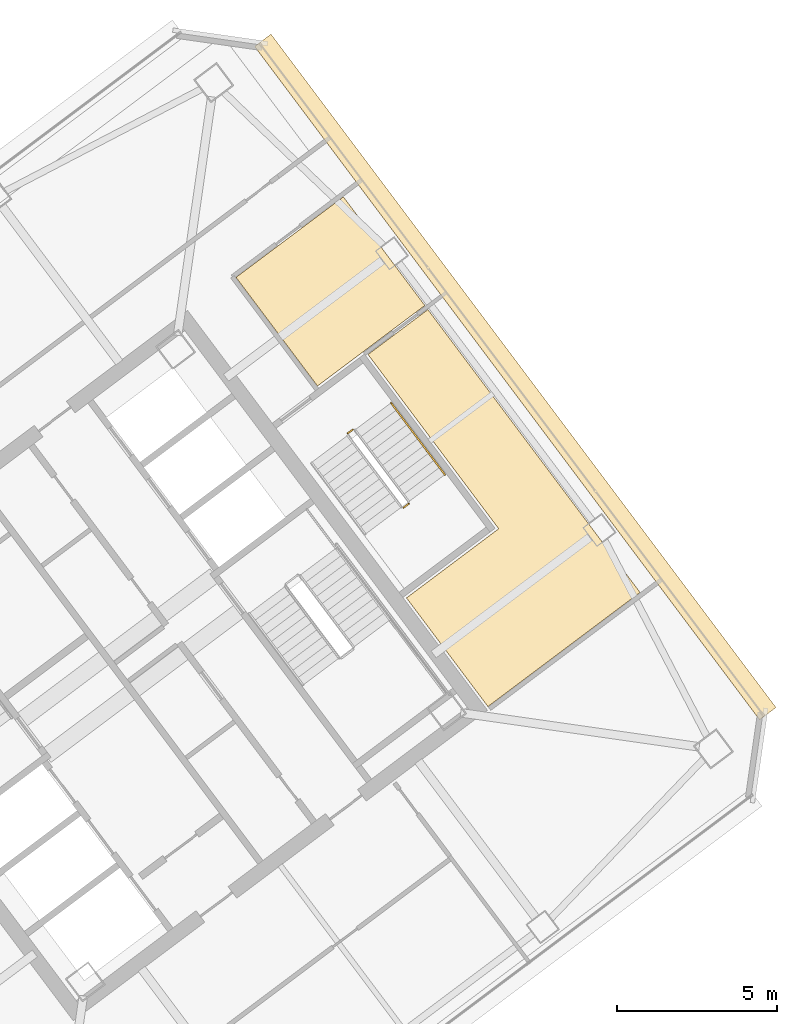
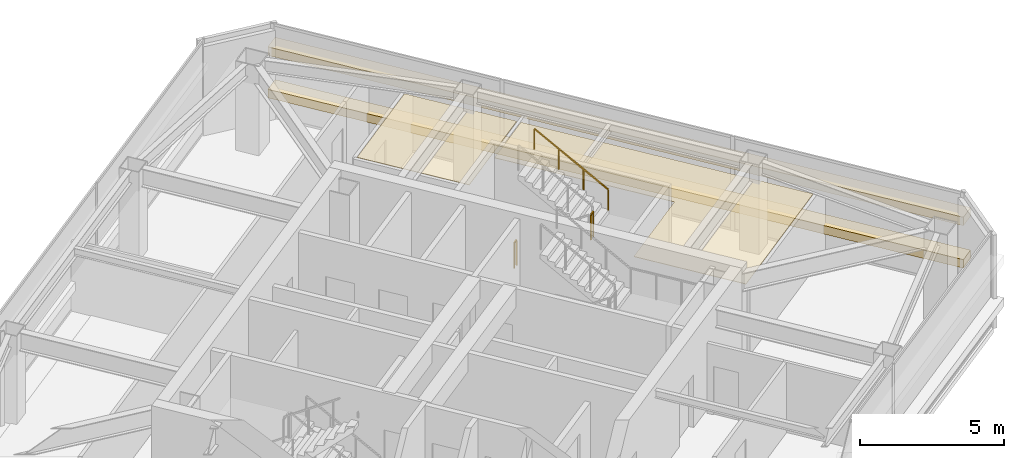
# One storey, part 49 of 51: 4 coverings, 3 railings.
"""IFC4 building model written with IfcOpenShell, lengths in metres."""

from ifc_helpers import new_model, si_unit, direction, frame, origin, origin_2d, place, context, subcontext, project, spatial, polyline, rectangle, outline, extrude, material, layer, layer_set, type_object, element, save


model = new_model("IFC4")

# Units and contexts
model_context = context("Model", 3, precision=1e-05, world=origin(), true_north=direction((0.0, 1.0)))
body_context = subcontext(model_context, "Body", "Model", "MODEL_VIEW")
ifc_project = project(units=[si_unit("LENGTHUNIT", "METRE"), si_unit("AREAUNIT", "SQUARE_METRE"), si_unit("VOLUMEUNIT", "CUBIC_METRE"), si_unit("PLANEANGLEUNIT", "RADIAN"), si_unit("MASSUNIT", "GRAM", prefix="KILO")], contexts=[model_context])

# Site, building, storey
site_placement = place(None, origin())
site = spatial("IfcSite", under=ifc_project, at=site_placement, CompositionType="ELEMENT")
building_placement = place(site_placement, origin())
building = spatial("IfcBuilding", under=site, at=building_placement, Name="Tashvorn Skyway Center", CompositionType="ELEMENT")
storey_placement = place(building_placement, frame((0.0, 0.0, 251.39990234375)))
storey = spatial("IfcBuildingStorey", under=building, at=storey_placement, Name="L68", CompositionType="ELEMENT", Elevation=251.39990234375)

# Coverings
ifc_material_1 = material(Name="Mineral-fibre acoustic ceiling tile on suspended grid")
ifc_layer_1 = layer(ifc_material_1, 0.02001953125)
ifc_layer_set_1 = layer_set([ifc_layer_1], Name="Mineral-fibre acoustic ceiling tile on suspended grid")
covering_type_1 = type_object("IfcCoveringType", Name="COV-CEIL-20", PredefinedType="CEILING", material=ifc_layer_set_1)
covering_1_placement = place(storey_placement, frame((0.0, 0.0, 2.951171875)))
element("IfcCovering", 1, at=covering_1_placement, inside=storey, type_object=covering_type_1, Name="Tower 2 L68 Executive Suite Acoustic Ceiling", PredefinedType="CEILING", context=body_context, shape_type="SweptSolid", body=[
    extrude(outline(polyline([(119.840087890625, 40.72998046875), (117.2958984375, 44.1220703125), (120.64794921875, 46.635986328125), (123.19189453125, 43.243896484375), (119.840087890625, 40.72998046875)])), origin(), (0.0, 0.0, 1.0), 0.02001953125),
])
covering_2_placement = place(storey_placement, frame((0.0, 0.0, 2.951171875)))
element("IfcCovering", 2, at=covering_2_placement, inside=storey, type_object=covering_type_1, Name="Tower 2 L68 Security Control Room Acoustic Ceiling", PredefinedType="CEILING", context=body_context, shape_type="SweptSolid", body=[
    extrude(outline(polyline([(125.159912109375, 30.719970703125), (122.615966796875, 34.112060546875), (125.49609375, 36.27197265625), (121.416015625, 41.7119140625), (123.2880859375, 43.115966796875), (127.367919921875, 37.676025390625), (129.912109375, 34.283935546875), (125.159912109375, 30.719970703125)])), origin(), (0.0, 0.0, 1.0), 0.02001953125),
])
ifc_material_2 = material(Name="Perforated ceramic-coated bronze aluminium solar screen", Category="aluminium")
ifc_layer_2 = layer(ifc_material_2, 0.85009765625)
ifc_layer_set_2 = layer_set([ifc_layer_2], Name="Perforated ceramic-coated bronze aluminium solar screen")
covering_type_2 = type_object("IfcCoveringType", Name="COV-SOLAR-BAND", PredefinedType="CLADDING", material=ifc_layer_set_2)
for number, where, z_axis, x_axis, name in (
    (3, (126.01611328125, 41.011962890625, 0.919921875), (0.0, 0.0, 1.0), (0.600000004945, -0.799999996291, 0.0), "L68 Perforated Ceramic-Metal Solar Screen Louvre Band East 1"),
    (4, (126.01611328125, 41.011962890625, 2.72021484375), (0.0, 0.0, 1.0), (0.600000004945, -0.799999996291, 0.0), "L68 Perforated Ceramic-Metal Solar Screen Louvre Band East 2"),
):
    element("IfcCovering", number, at=place(storey_placement, frame(where, z_axis=z_axis, x_axis=x_axis)), inside=storey, type_object=covering_type_2, Name=name, PredefinedType="CLADDING", context=body_context, shape_type="SweptSolid", body=[
        extrude(rectangle(XDim=26.280029296875, YDim=0.639892578125, at=origin_2d()), origin(), (0.0, 0.0, 1.0), 0.360107421875),
    ])

# Railings
ifc_material_3 = material(Name="Brushed stainless steel 316", Category="steel")
railing_type_1 = type_object("IfcRailingType", Name="RAIL-HAND-920", PredefinedType="HANDRAIL", material=ifc_material_3)
railing_placement = place(storey_placement, frame((123.81591796875, 37.9619140625, 2.181884765625)))
element("IfcRailing", 5, at=railing_placement, inside=storey, type_object=railing_type_1, Name="L68 ST-T2-3 stair handrail 2", PredefinedType="HANDRAIL", context=body_context, shape_type="SweptSolid", body=[
    extrude(rectangle(XDim=0.048095703125, YDim=0.048095703125, at=origin_2d()), frame((0.0, 0.0, 0.8759765625), z_axis=(-0.50320659142, 0.670966498514, 0.544598094216), x_axis=(-0.80001046323, -0.599986048773, 0.0)), (0.0, 0.0, 1.0), 3.33837890625),
    extrude(rectangle(XDim=0.0419921875, YDim=0.0419921875, at=origin_2d()), origin(), (0.0, 0.0, 1.0), 0.851806640625),
    extrude(rectangle(XDim=0.0419921875, YDim=0.0419921875, at=origin_2d()), frame((-0.56005859375, 0.74658203125, 0.60595703125)), (0.0, 0.0, 1.0), 0.851806640625),
    extrude(rectangle(XDim=0.0419921875, YDim=0.0419921875, at=origin_2d()), frame((-1.119873046875, 1.493408203125, 1.212158203125)), (0.0, 0.0, 1.0), 0.851806640625),
    extrude(rectangle(XDim=0.0419921875, YDim=0.0419921875, at=origin_2d()), frame((-1.679931640625, 2.239990234375, 1.818115234375)), (0.0, 0.0, 1.0), 0.851806640625),
])
ifc_material_4 = material(Name="Painted galvanized steel S355", Category="steel")
railing_type_2 = type_object("IfcRailingType", Name="RAIL-STGUARD-1100", PredefinedType="GUARDRAIL", material=ifc_material_4)
for number, where, name in (
    (6, (122.52587890625, 36.931884765625, 2.0), "L68 ST-T2-3 stair guard 2"),
    (7, (120.785888671875, 39.251953125, 0.0), "L68 ST-T2-3 stair guard 4"),
):
    element("IfcRailing", number, at=place(storey_placement, frame(where)), inside=storey, type_object=railing_type_2, Name=name, PredefinedType="GUARDRAIL", context=body_context, shape_type="SweptSolid", body=[
        extrude(rectangle(XDim=0.048095703125, YDim=0.048095703125, at=origin_2d()), frame((0.0, 0.0, 1.076171875), z_axis=(0.8, 0.6, 0.0), x_axis=(-0.6, 0.8, 0.0)), (0.0, 0.0, 1.0), 0.2001953125),
        extrude(rectangle(XDim=0.0419921875, YDim=0.0419921875, at=origin_2d()), origin(), (0.0, 0.0, 1.0), 1.052001953125),
        extrude(rectangle(XDim=0.0419921875, YDim=0.0419921875, at=origin_2d()), frame((0.16015625, 0.1201171875, 0.0)), (0.0, 0.0, 1.0), 1.052001953125),
    ])

save(model, "model.ifc")
